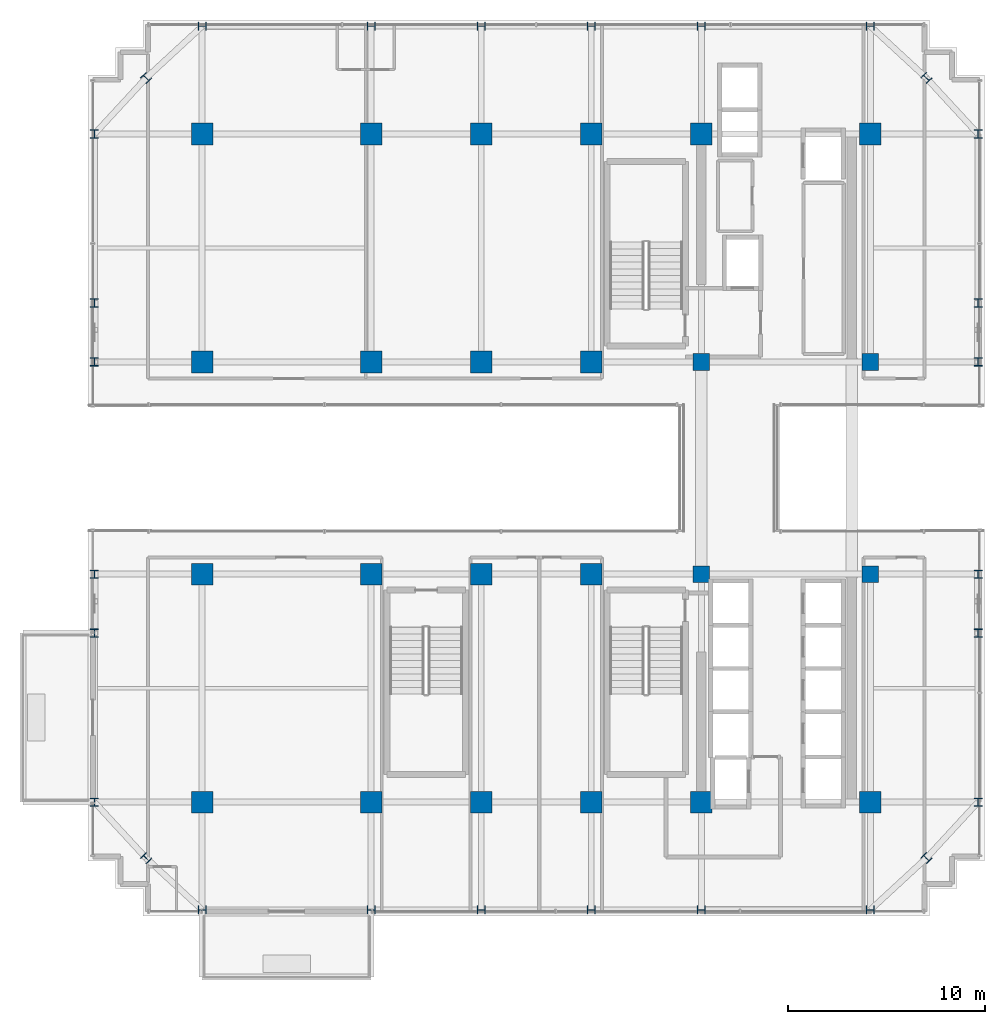
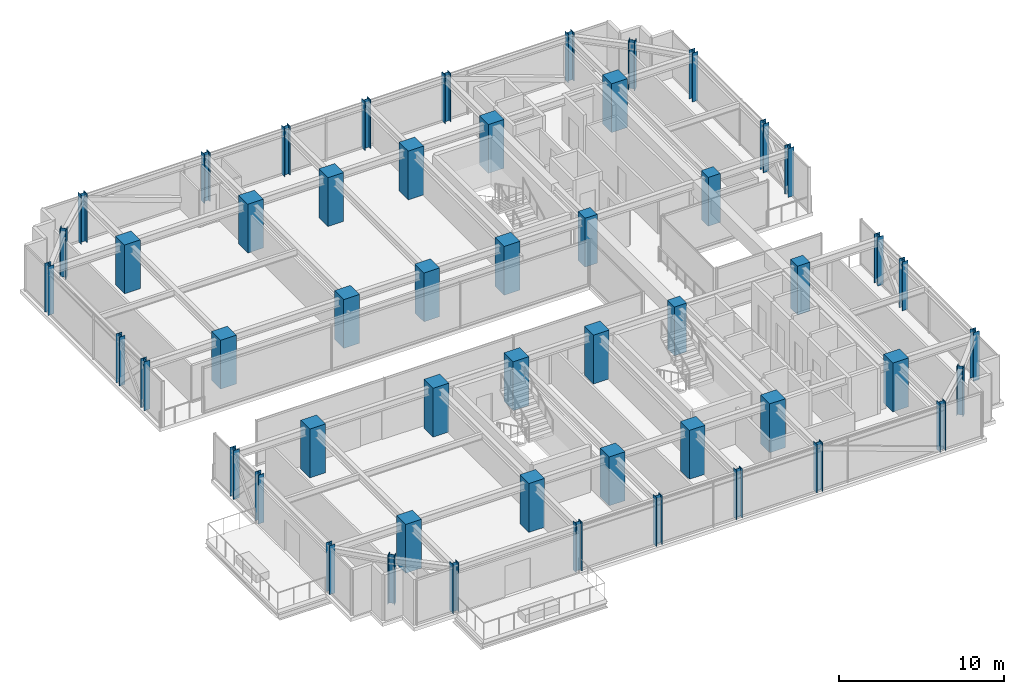
# One storey, part 1 of 36: 52 columns.
"""IFC4 building model written with IfcOpenShell, lengths in metres."""

from ifc_helpers import new_model, si_unit, direction, frame, origin, origin_2d, place, context, subcontext, project, spatial, rectangle, i_section, extrude, source, transform, mapped, material, material_profile, profile_set, type_object, element, save


model = new_model("IFC4")

# Units and contexts
model_context = context("Model", 3, precision=1e-05, world=origin(), true_north=direction((0.0, 1.0)))
body_context = subcontext(model_context, "Body", "Model", "MODEL_VIEW")
ifc_project = project(units=[si_unit("LENGTHUNIT", "METRE"), si_unit("AREAUNIT", "SQUARE_METRE"), si_unit("VOLUMEUNIT", "CUBIC_METRE"), si_unit("PLANEANGLEUNIT", "RADIAN"), si_unit("MASSUNIT", "GRAM", prefix="KILO")], contexts=[model_context])

# Site, building, storey
site_placement = place(None, origin())
site = spatial("IfcSite", under=ifc_project, at=site_placement, CompositionType="ELEMENT")
building_placement = place(site_placement, origin())
building = spatial("IfcBuilding", under=site, at=building_placement, Name="Nahalor Promenade Grand Hotel", CompositionType="ELEMENT")
storey_placement = place(building_placement, frame((0.0, 0.0, 170.89990234375)))
storey = spatial("IfcBuildingStorey", under=building, at=storey_placement, Name="L43", CompositionType="ELEMENT", Elevation=170.89990234375)

# Columns
ifc_material_1 = material(Name="Concrete B-70 (C60/75)", Category="concrete")
ifc_material_profile_1 = material_profile(ifc_material_1, rectangle(XDim=0.85, YDim=0.85, at=origin_2d()), Name="RC 850x850")
ifc_profile_set_1 = profile_set([ifc_material_profile_1], Name="Concrete B-70 (C60/75)")
column_type_1 = type_object("IfcColumnType", Name="Col-Pilaster-850", PredefinedType="PILASTER", material=ifc_profile_set_1)
shared_shape_1 = source(origin(), body_context, "Body", "SweptSolid", [
    extrude(rectangle(XDim=0.85, YDim=0.85, at=origin_2d()), origin(), (0.0, 0.0, 1.0), 3.60498046875),
])
for number, where, z_axis, x_axis, name in (
    (1, (8.39990234375, -5.39990234375, 0.0), (0.0, 0.0, 1.0), (1.0, 0.0, 0.0), "COL-L43-I41"),
    (2, (8.39990234375, 5.39990234375, 0.0), (0.0, 0.0, 1.0), (1.0, 0.0, 0.0), "COL-L43-I42"),
    (3, (17.0, -5.39990234375, 0.0), (0.0, 0.0, 1.0), (1.0, 0.0, 0.0), "COL-L43-I51"),
    (4, (17.0, 5.39990234375, 0.0), (0.0, 0.0, 1.0), (1.0, 0.0, 0.0), "COL-L43-I52"),
):
    element("IfcColumn", number, at=place(storey_placement, frame(where, z_axis=z_axis, x_axis=x_axis)), inside=storey, type_object=column_type_1, Name=name, PredefinedType="PILASTER", context=body_context, shape_type="MappedRepresentation", body=[
        mapped(shared_shape_1, transform((0.0, 0.0, 0.0), scale=1.0)),
    ])
ifc_material_2 = material(Name="Concrete B-60 (C50/60)", Category="concrete")
ifc_material_profile_2 = material_profile(ifc_material_2, rectangle(XDim=1.1, YDim=1.1, at=origin_2d()), Name="RC 1100x1100")
ifc_profile_set_2 = profile_set([ifc_material_profile_2], Name="Concrete B-60 (C50/60)")
column_type_2 = type_object("IfcColumnType", Name="Col-RC-1100", PredefinedType="COLUMN", material=ifc_profile_set_2)
shared_shape_2 = source(origin(), body_context, "Body", "SweptSolid", [
    extrude(rectangle(XDim=1.1, YDim=1.1, at=origin_2d()), origin(), (0.0, 0.0, 1.0), 3.60498046875),
])
for number, where, z_axis, x_axis, name in (
    (5, (-17.0, -17.0, 0.0), (0.0, 0.0, 1.0), (1.0, 0.0, 0.0), "COL-L43-I00"),
    (6, (-17.0, -5.39990234375, 0.0), (0.0, 0.0, 1.0), (1.0, 0.0, 0.0), "COL-L43-I01"),
    (7, (-17.0, 5.39990234375, 0.0), (0.0, 0.0, 1.0), (1.0, 0.0, 0.0), "COL-L43-I02"),
    (8, (-17.0, 17.0, 0.0), (0.0, 0.0, 1.0), (1.0, 0.0, 0.0), "COL-L43-I03"),
    (9, (-8.39990234375, -17.0, 0.0), (0.0, 0.0, 1.0), (1.0, 0.0, 0.0), "COL-L43-I10"),
    (10, (-8.39990234375, -5.39990234375, 0.0), (0.0, 0.0, 1.0), (1.0, 0.0, 0.0), "COL-L43-I11"),
    (11, (-8.39990234375, 5.39990234375, 0.0), (0.0, 0.0, 1.0), (1.0, 0.0, 0.0), "COL-L43-I12"),
    (12, (-8.39990234375, 17.0, 0.0), (0.0, 0.0, 1.0), (1.0, 0.0, 0.0), "COL-L43-I13"),
    (13, (-2.800048828125, -17.0, 0.0), (0.0, 0.0, 1.0), (1.0, 0.0, 0.0), "COL-L43-I20"),
    (14, (-2.800048828125, -5.39990234375, 0.0), (0.0, 0.0, 1.0), (1.0, 0.0, 0.0), "COL-L43-I21"),
    (15, (-2.800048828125, 5.39990234375, 0.0), (0.0, 0.0, 1.0), (1.0, 0.0, 0.0), "COL-L43-I22"),
    (16, (-2.800048828125, 17.0, 0.0), (0.0, 0.0, 1.0), (1.0, 0.0, 0.0), "COL-L43-I23"),
    (17, (2.800048828125, -17.0, 0.0), (0.0, 0.0, 1.0), (1.0, 0.0, 0.0), "COL-L43-I30"),
    (18, (2.800048828125, -5.39990234375, 0.0), (0.0, 0.0, 1.0), (1.0, 0.0, 0.0), "COL-L43-I31"),
    (19, (2.800048828125, 5.39990234375, 0.0), (0.0, 0.0, 1.0), (1.0, 0.0, 0.0), "COL-L43-I32"),
    (20, (2.800048828125, 17.0, 0.0), (0.0, 0.0, 1.0), (1.0, 0.0, 0.0), "COL-L43-I33"),
    (21, (8.39990234375, -17.0, 0.0), (0.0, 0.0, 1.0), (1.0, 0.0, 0.0), "COL-L43-I40"),
    (22, (8.39990234375, 17.0, 0.0), (0.0, 0.0, 1.0), (1.0, 0.0, 0.0), "COL-L43-I43"),
    (23, (17.0, -17.0, 0.0), (0.0, 0.0, 1.0), (1.0, 0.0, 0.0), "COL-L43-I50"),
    (24, (17.0, 17.0, 0.0), (0.0, 0.0, 1.0), (1.0, 0.0, 0.0), "COL-L43-I53"),
):
    element("IfcColumn", number, at=place(storey_placement, frame(where, z_axis=z_axis, x_axis=x_axis)), inside=storey, type_object=column_type_2, Name=name, PredefinedType="COLUMN", context=body_context, shape_type="MappedRepresentation", body=[
        mapped(shared_shape_2, transform((0.0, 0.0, 0.0), scale=1.0)),
    ])
ifc_material_3 = material(Name="Steel S355J2", Category="steel")
ifc_material_profile_3 = material_profile(ifc_material_3, i_section(OverallWidth=0.406, OverallDepth=0.422, WebThickness=0.019, FlangeThickness=0.0305, at=origin_2d()), Name="HD 400x382")
ifc_profile_set_3 = profile_set([ifc_material_profile_3], Name="Steel S355J2")
column_type_3 = type_object("IfcColumnType", Name="Col-Steel-HD382", PredefinedType="COLUMN", material=ifc_profile_set_3)
shared_shape_3 = source(origin(), body_context, "Body", "SweptSolid", [
    extrude(i_section(OverallWidth=0.406, OverallDepth=0.422, WebThickness=0.019, FlangeThickness=0.0305, at=origin_2d()), origin(), (0.0, 0.0, 1.0), 3.60498046875),
])
for number, where, z_axis, x_axis, name in (
    (25, (-22.47998046875, -17.0, 0.0), (0.0, 0.0, 1.0), (1.0, 0.0, 0.0), "COL-L43-PW-W0"),
    (26, (22.47998046875, -17.0, 0.0), (0.0, 0.0, 1.0), (1.0, 0.0, 0.0), "COL-L43-PW-E0"),
    (27, (-22.47998046875, -8.39990234375, 0.0), (0.0, 0.0, 1.0), (1.0, 0.0, 0.0), "COL-L43-PW-W1"),
    (28, (22.47998046875, -8.39990234375, 0.0), (0.0, 0.0, 1.0), (1.0, 0.0, 0.0), "COL-L43-PW-E1"),
    (29, (-22.47998046875, -5.39990234375, 0.0), (0.0, 0.0, 1.0), (1.0, 0.0, 0.0), "COL-L43-PW-W2"),
    (30, (22.47998046875, -5.39990234375, 0.0), (0.0, 0.0, 1.0), (1.0, 0.0, 0.0), "COL-L43-PW-E2"),
    (31, (-22.47998046875, 5.39990234375, 0.0), (0.0, 0.0, 1.0), (1.0, 0.0, 0.0), "COL-L43-PW-W3"),
    (32, (22.47998046875, 5.39990234375, 0.0), (0.0, 0.0, 1.0), (1.0, 0.0, 0.0), "COL-L43-PW-E3"),
    (33, (-22.47998046875, 8.39990234375, 0.0), (0.0, 0.0, 1.0), (1.0, 0.0, 0.0), "COL-L43-PW-W4"),
    (34, (22.47998046875, 8.39990234375, 0.0), (0.0, 0.0, 1.0), (1.0, 0.0, 0.0), "COL-L43-PW-E4"),
    (35, (-22.47998046875, 17.0, 0.0), (0.0, 0.0, 1.0), (1.0, 0.0, 0.0), "COL-L43-PW-W5"),
    (36, (22.47998046875, 17.0, 0.0), (0.0, 0.0, 1.0), (1.0, 0.0, 0.0), "COL-L43-PW-E5"),
    (37, (-17.0, -22.47998046875, 0.0), (0.0, 0.0, 1.0), (0.0, 1.0, 0.0), "COL-L43-PN-S0"),
    (38, (-17.0, 22.47998046875, 0.0), (0.0, 0.0, 1.0), (0.0, 1.0, 0.0), "COL-L43-PN-N0"),
    (39, (-8.39990234375, -22.47998046875, 0.0), (0.0, 0.0, 1.0), (0.0, 1.0, 0.0), "COL-L43-PN-S1"),
    (40, (-8.39990234375, 22.47998046875, 0.0), (0.0, 0.0, 1.0), (0.0, 1.0, 0.0), "COL-L43-PN-N1"),
    (41, (-2.800048828125, -22.47998046875, 0.0), (0.0, 0.0, 1.0), (0.0, 1.0, 0.0), "COL-L43-PN-S2"),
    (42, (-2.800048828125, 22.47998046875, 0.0), (0.0, 0.0, 1.0), (0.0, 1.0, 0.0), "COL-L43-PN-N2"),
    (43, (2.800048828125, -22.47998046875, 0.0), (0.0, 0.0, 1.0), (0.0, 1.0, 0.0), "COL-L43-PN-S3"),
    (44, (2.800048828125, 22.47998046875, 0.0), (0.0, 0.0, 1.0), (0.0, 1.0, 0.0), "COL-L43-PN-N3"),
    (45, (8.39990234375, -22.47998046875, 0.0), (0.0, 0.0, 1.0), (0.0, 1.0, 0.0), "COL-L43-PN-S4"),
    (46, (8.39990234375, 22.47998046875, 0.0), (0.0, 0.0, 1.0), (0.0, 1.0, 0.0), "COL-L43-PN-N4"),
    (47, (17.0, -22.47998046875, 0.0), (0.0, 0.0, 1.0), (0.0, 1.0, 0.0), "COL-L43-PN-S5"),
    (48, (17.0, 22.47998046875, 0.0), (0.0, 0.0, 1.0), (0.0, 1.0, 0.0), "COL-L43-PN-N5"),
    (49, (-19.85009765625, -19.85009765625, 0.0), (0.0, 0.0, 1.0), (0.707106781187, 0.707106781187, 0.0), "COL-L43-CRN-SW"),
    (50, (-19.85009765625, 19.85009765625, 0.0), (0.0, 0.0, 1.0), (0.707106781187, 0.707106781187, 0.0), "COL-L43-CRN-NW"),
    (51, (19.85009765625, -19.85009765625, 0.0), (0.0, 0.0, 1.0), (0.707106781187, 0.707106781187, 0.0), "COL-L43-CRN-SE"),
    (52, (19.85009765625, 19.85009765625, 0.0), (0.0, 0.0, 1.0), (0.707106781187, 0.707106781187, 0.0), "COL-L43-CRN-NE"),
):
    element("IfcColumn", number, at=place(storey_placement, frame(where, z_axis=z_axis, x_axis=x_axis)), inside=storey, type_object=column_type_3, Name=name, PredefinedType="COLUMN", context=body_context, shape_type="MappedRepresentation", body=[
        mapped(shared_shape_3, transform((0.0, 0.0, 0.0), scale=1.0)),
    ])

save(model, "model.ifc")
